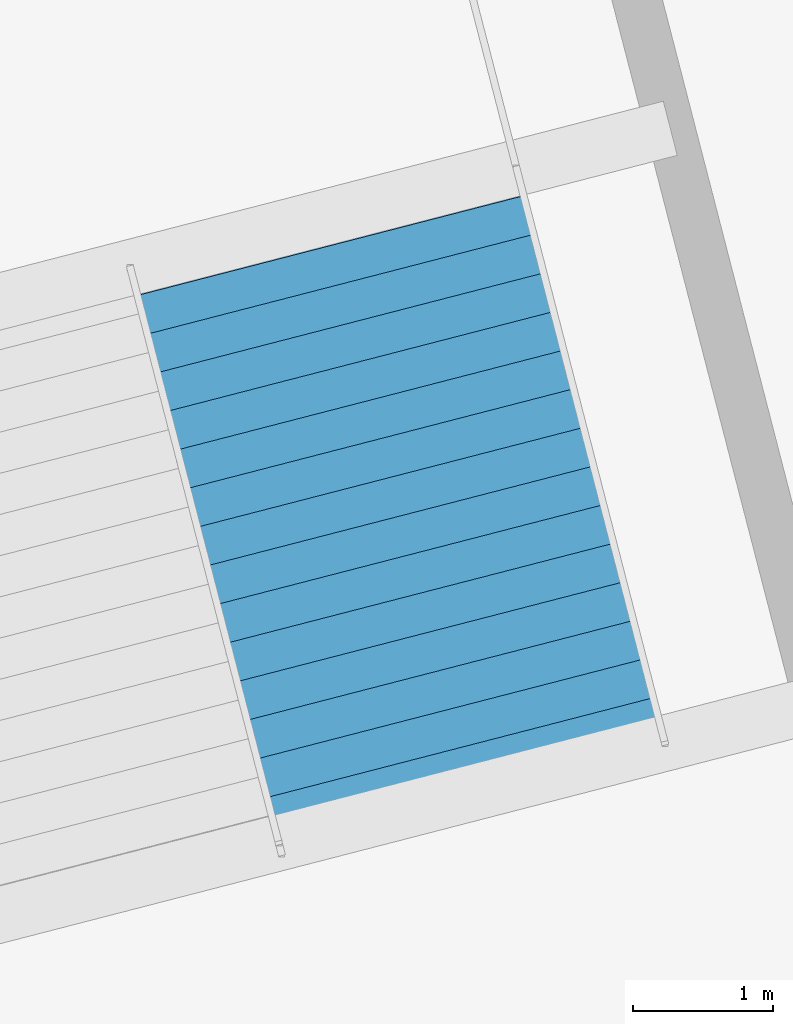
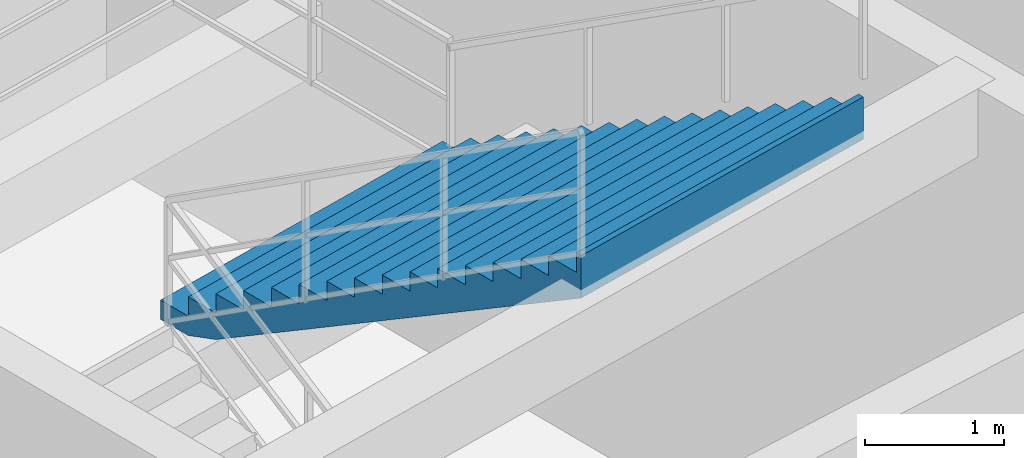
# One storey, part 32 of 49: 1 stair flight, 1 element without a shape of its own.
"""IFC4 building model written with IfcOpenShell, lengths in metres."""

from ifc_helpers import new_model, si_unit, direction, frame, origin, place, context, subcontext, project, spatial, polygons, material, type_object, element, aggregate, save


model = new_model("IFC4")

# Units and contexts
model_context = context("Model", 3, precision=1e-05, world=origin(), true_north=direction((0.0, 1.0)))
body_context = subcontext(model_context, "Body", "Model", "MODEL_VIEW")
ifc_project = project(units=[si_unit("LENGTHUNIT", "METRE"), si_unit("AREAUNIT", "SQUARE_METRE"), si_unit("VOLUMEUNIT", "CUBIC_METRE"), si_unit("PLANEANGLEUNIT", "RADIAN"), si_unit("MASSUNIT", "GRAM", prefix="KILO")], contexts=[model_context])

# Site, building, storey
site_placement = place(None, origin())
site = spatial("IfcSite", under=ifc_project, at=site_placement, CompositionType="ELEMENT")
building_placement = place(site_placement, origin())
building = spatial("IfcBuilding", under=site, at=building_placement, Name="Kazemori Nagisa Stadium", CompositionType="ELEMENT")
storey_placement = place(building_placement, frame((0.0, 0.0, -5.43994140625)))
storey = spatial("IfcBuildingStorey", under=building, at=storey_placement, Name="B1", CompositionType="ELEMENT", Elevation=-5.43994140625)

# Stair, stair flight
ifc_material = material(Name="Concrete C36/45 (Fc36)", Category="concrete")
stair_type = type_object("IfcStairType", Name="Stair_CORE_32", PredefinedType="TWO_STRAIGHT_RUN_STAIR", material=ifc_material)
stair_placement = place(storey_placement, origin())
stair = element("IfcStair", 1, at=stair_placement, inside=storey, type_object=stair_type, Name="Exit stair ST07 B1", PredefinedType="TWO_STRAIGHT_RUN_STAIR")
stair_flight_type = type_object("IfcStairFlightType", Name="Flight_CORE_16", PredefinedType="STRAIGHT", material=ifc_material)
stair_flight_placement = place(storey_placement, frame((209.591796875, 127.897705078125, 2.719970703125), z_axis=(0.0, 0.0, 1.0), x_axis=(0.249959194257, -0.968256371632, 0.0)))
stair_flight = element("IfcStairFlight", 2, at=stair_flight_placement, type_object=stair_flight_type, Name="Exit stair ST07 B1 flight 2", NumberOfRisers=16, NumberOfTreads=15, PredefinedType="STRAIGHT", RiserHeight=0.17, TreadLength=0.285, context=body_context, shape_type="Tessellation", body=[
    polygons([(0.0, -1.425048828125, 0.0), (0.0, -1.425048828125, 0.169921875), (0.284912109375, -1.425048828125, 0.169921875), (0.284912109375, -1.425048828125, 0.340087890625), (0.570068359375, -1.425048828125, 0.340087890625), (0.570068359375, -1.425048828125, 0.510009765625), (0.85498046875, -1.425048828125, 0.510009765625), (0.85498046875, -1.425048828125, 0.679931640625), (1.139892578125, -1.425048828125, 0.679931640625), (1.139892578125, -1.425048828125, 0.85009765625), (1.425048828125, -1.425048828125, 0.85009765625), (1.425048828125, -1.425048828125, 1.02001953125), (1.7099609375, -1.425048828125, 1.02001953125), (1.7099609375, -1.425048828125, 1.18994140625), (1.9951171875, -1.425048828125, 1.18994140625), (1.9951171875, -1.425048828125, 1.360107421875), (2.280029296875, -1.425048828125, 1.360107421875), (2.280029296875, -1.425048828125, 1.530029296875), (2.56494140625, -1.425048828125, 1.530029296875), (2.56494140625, -1.425048828125, 1.699951171875), (2.85009765625, -1.425048828125, 1.699951171875), (2.85009765625, -1.425048828125, 1.8701171875), (3.135009765625, -1.425048828125, 1.8701171875), (3.135009765625, -1.425048828125, 2.0400390625), (3.419921875, -1.425048828125, 2.0400390625), (3.419921875, -1.425048828125, 2.2099609375), (3.705078125, -1.425048828125, 2.2099609375), (3.705078125, -1.425048828125, 2.3798828125), (3.989990234375, -1.425048828125, 2.3798828125), (3.989990234375, -1.425048828125, 2.550048828125), (4.27490234375, -1.425048828125, 2.550048828125), (4.27490234375, -1.425048828125, 2.719970703125), (4.324951171875, -1.425048828125, 2.719970703125), (4.324951171875, -1.425048828125, 2.346923828125), (4.27490234375, -1.425048828125, 2.317138671875), (3.989990234375, -1.425048828125, 2.147216796875), (3.705078125, -1.425048828125, 1.977294921875), (3.419921875, -1.425048828125, 1.80712890625), (3.135009765625, -1.425048828125, 1.63720703125), (2.85009765625, -1.425048828125, 1.46728515625), (2.56494140625, -1.425048828125, 1.297119140625), (2.280029296875, -1.425048828125, 1.127197265625), (1.9951171875, -1.425048828125, 0.957275390625), (1.7099609375, -1.425048828125, 0.787109375), (1.425048828125, -1.425048828125, 0.6171875), (1.139892578125, -1.425048828125, 0.447265625), (0.85498046875, -1.425048828125, 0.277099609375), (0.570068359375, -1.425048828125, 0.107177734375), (0.284912109375, -1.425048828125, 0.0), (0.0, -0.08544921875, 0.0), (0.0, -0.08544921875, 0.169921875), (0.284912109375, -0.08544921875, 0.169921875), (0.284912109375, -0.08544921875, 0.340087890625), (0.570068359375, -0.08544921875, 0.340087890625), (0.570068359375, -0.08544921875, 0.510009765625), (0.85498046875, -0.08544921875, 0.510009765625), (0.85498046875, -0.08544921875, 0.679931640625), (1.139892578125, -0.08544921875, 0.679931640625), (1.139892578125, -0.08544921875, 0.85009765625), (1.425048828125, -0.08544921875, 0.85009765625), (1.425048828125, -0.08544921875, 1.02001953125), (1.7099609375, -0.08544921875, 1.02001953125), (1.7099609375, -0.08544921875, 1.18994140625), (1.9951171875, -0.08544921875, 1.18994140625), (1.9951171875, -0.08544921875, 1.360107421875), (2.280029296875, -0.08544921875, 1.360107421875), (2.280029296875, -0.08544921875, 1.530029296875), (2.56494140625, -0.08544921875, 1.530029296875), (2.56494140625, -0.08544921875, 1.699951171875), (2.85009765625, -0.08544921875, 1.699951171875), (2.85009765625, -0.08544921875, 1.8701171875), (3.135009765625, -0.08544921875, 1.8701171875), (3.135009765625, -0.08544921875, 2.0400390625), (3.419921875, -0.08544921875, 2.0400390625), (3.419921875, -0.08544921875, 2.2099609375), (3.705078125, -0.08544921875, 2.2099609375), (3.705078125, -0.08544921875, 2.3798828125), (3.989990234375, -0.08544921875, 2.3798828125), (3.989990234375, -0.08544921875, 2.550048828125), (4.27490234375, -0.08544921875, 2.550048828125), (4.27490234375, -0.08544921875, 2.719970703125), (4.324951171875, -0.08544921875, 2.719970703125), (4.324951171875, -0.08544921875, 2.346923828125), (4.27490234375, -0.08544921875, 2.317138671875), (3.989990234375, -0.08544921875, 2.147216796875), (3.705078125, -0.08544921875, 1.977294921875), (3.419921875, -0.08544921875, 1.80712890625), (3.135009765625, -0.08544921875, 1.63720703125), (2.85009765625, -0.08544921875, 1.46728515625), (2.56494140625, -0.08544921875, 1.297119140625), (2.280029296875, -0.08544921875, 1.127197265625), (1.9951171875, -0.08544921875, 0.957275390625), (1.7099609375, -0.08544921875, 0.787109375), (1.425048828125, -0.08544921875, 0.6171875), (1.139892578125, -0.08544921875, 0.447265625), (0.85498046875, -0.08544921875, 0.277099609375), (0.570068359375, -0.08544921875, 0.107177734375), (0.284912109375, -0.08544921875, 0.0), (0.0, 0.0, 0.0), (0.0, 0.0, 0.169921875), (0.284912109375, 0.0, 0.169921875), (0.284912109375, 0.0, 0.340087890625), (0.570068359375, 0.0, 0.340087890625), (0.570068359375, 0.0, 0.510009765625), (0.85498046875, 0.0, 0.510009765625), (0.85498046875, 0.0, 0.679931640625), (1.139892578125, 0.0, 0.679931640625), (1.139892578125, 0.0, 0.85009765625), (1.425048828125, 0.0, 0.85009765625), (1.425048828125, 0.0, 1.02001953125), (1.7099609375, 0.0, 1.02001953125), (1.7099609375, 0.0, 1.18994140625), (1.9951171875, 0.0, 1.18994140625), (1.9951171875, 0.0, 1.360107421875), (2.280029296875, 0.0, 1.360107421875), (2.280029296875, 0.0, 1.530029296875), (2.56494140625, 0.0, 1.530029296875), (2.56494140625, 0.0, 1.699951171875), (2.85009765625, 0.0, 1.699951171875), (2.85009765625, 0.0, 1.8701171875), (3.135009765625, 0.0, 1.8701171875), (3.135009765625, 0.0, 2.0400390625), (3.419921875, 0.0, 2.0400390625), (3.419921875, 0.0, 2.2099609375), (3.705078125, 0.0, 2.2099609375), (3.705078125, 0.0, 2.3798828125), (3.989990234375, 0.0, 2.3798828125), (3.989990234375, 0.0, 2.550048828125), (4.27490234375, 0.0, 2.550048828125), (4.27490234375, 0.0, 2.719970703125), (4.324951171875, 0.0, 2.719970703125), (4.324951171875, 0.0, 2.346923828125), (4.27490234375, 0.0, 2.317138671875), (3.989990234375, 0.0, 2.147216796875), (3.705078125, 0.0, 1.977294921875), (3.419921875, 0.0, 1.80712890625), (3.135009765625, 0.0, 1.63720703125), (2.85009765625, 0.0, 1.46728515625), (2.56494140625, 0.0, 1.297119140625), (2.280029296875, 0.0, 1.127197265625), (1.9951171875, 0.0, 0.957275390625), (1.7099609375, 0.0, 0.787109375), (1.425048828125, 0.0, 0.6171875), (1.139892578125, 0.0, 0.447265625), (0.85498046875, 0.0, 0.277099609375), (0.570068359375, 0.0, 0.107177734375), (0.284912109375, 0.0, 0.0), (0.0, 0.08544921875, 0.0), (0.0, 0.08544921875, 0.169921875), (0.284912109375, 0.08544921875, 0.169921875), (0.284912109375, 0.08544921875, 0.340087890625), (0.570068359375, 0.08544921875, 0.340087890625), (0.570068359375, 0.08544921875, 0.510009765625), (0.85498046875, 0.08544921875, 0.510009765625), (0.85498046875, 0.08544921875, 0.679931640625), (1.139892578125, 0.08544921875, 0.679931640625), (1.139892578125, 0.08544921875, 0.85009765625), (1.425048828125, 0.08544921875, 0.85009765625), (1.425048828125, 0.08544921875, 1.02001953125), (1.7099609375, 0.08544921875, 1.02001953125), (1.7099609375, 0.08544921875, 1.18994140625), (1.9951171875, 0.08544921875, 1.18994140625), (1.9951171875, 0.08544921875, 1.360107421875), (2.280029296875, 0.08544921875, 1.360107421875), (2.280029296875, 0.08544921875, 1.530029296875), (2.56494140625, 0.08544921875, 1.530029296875), (2.56494140625, 0.08544921875, 1.699951171875), (2.85009765625, 0.08544921875, 1.699951171875), (2.85009765625, 0.08544921875, 1.8701171875), (3.135009765625, 0.08544921875, 1.8701171875), (3.135009765625, 0.08544921875, 2.0400390625), (3.419921875, 0.08544921875, 2.0400390625), (3.419921875, 0.08544921875, 2.2099609375), (3.705078125, 0.08544921875, 2.2099609375), (3.705078125, 0.08544921875, 2.3798828125), (3.989990234375, 0.08544921875, 2.3798828125), (3.989990234375, 0.08544921875, 2.550048828125), (4.27490234375, 0.08544921875, 2.550048828125), (4.27490234375, 0.08544921875, 2.719970703125), (4.324951171875, 0.08544921875, 2.719970703125), (4.324951171875, 0.08544921875, 2.346923828125), (4.27490234375, 0.08544921875, 2.317138671875), (3.989990234375, 0.08544921875, 2.147216796875), (3.705078125, 0.08544921875, 1.977294921875), (3.419921875, 0.08544921875, 1.80712890625), (3.135009765625, 0.08544921875, 1.63720703125), (2.85009765625, 0.08544921875, 1.46728515625), (2.56494140625, 0.08544921875, 1.297119140625), (2.280029296875, 0.08544921875, 1.127197265625), (1.9951171875, 0.08544921875, 0.957275390625), (1.7099609375, 0.08544921875, 0.787109375), (1.425048828125, 0.08544921875, 0.6171875), (1.139892578125, 0.08544921875, 0.447265625), (0.85498046875, 0.08544921875, 0.277099609375), (0.570068359375, 0.08544921875, 0.107177734375), (0.284912109375, 0.08544921875, 0.0), (0.0, 1.425048828125, 0.0), (0.0, 1.425048828125, 0.169921875), (0.284912109375, 1.425048828125, 0.169921875), (0.284912109375, 1.425048828125, 0.340087890625), (0.570068359375, 1.425048828125, 0.340087890625), (0.570068359375, 1.425048828125, 0.510009765625), (0.85498046875, 1.425048828125, 0.510009765625), (0.85498046875, 1.425048828125, 0.679931640625), (1.139892578125, 1.425048828125, 0.679931640625), (1.139892578125, 1.425048828125, 0.85009765625), (1.425048828125, 1.425048828125, 0.85009765625), (1.425048828125, 1.425048828125, 1.02001953125), (1.7099609375, 1.425048828125, 1.02001953125), (1.7099609375, 1.425048828125, 1.18994140625), (1.9951171875, 1.425048828125, 1.18994140625), (1.9951171875, 1.425048828125, 1.360107421875), (2.280029296875, 1.425048828125, 1.360107421875), (2.280029296875, 1.425048828125, 1.530029296875), (2.56494140625, 1.425048828125, 1.530029296875), (2.56494140625, 1.425048828125, 1.699951171875), (2.85009765625, 1.425048828125, 1.699951171875), (2.85009765625, 1.425048828125, 1.8701171875), (3.135009765625, 1.425048828125, 1.8701171875), (3.135009765625, 1.425048828125, 2.0400390625), (3.419921875, 1.425048828125, 2.0400390625), (3.419921875, 1.425048828125, 2.2099609375), (3.705078125, 1.425048828125, 2.2099609375), (3.705078125, 1.425048828125, 2.3798828125), (3.989990234375, 1.425048828125, 2.3798828125), (3.989990234375, 1.425048828125, 2.550048828125), (4.27490234375, 1.425048828125, 2.550048828125), (4.27490234375, 1.425048828125, 2.719970703125), (4.324951171875, 1.425048828125, 2.719970703125), (4.324951171875, 1.425048828125, 2.346923828125), (4.27490234375, 1.425048828125, 2.317138671875), (3.989990234375, 1.425048828125, 2.147216796875), (3.705078125, 1.425048828125, 1.977294921875), (3.419921875, 1.425048828125, 1.80712890625), (3.135009765625, 1.425048828125, 1.63720703125), (2.85009765625, 1.425048828125, 1.46728515625), (2.56494140625, 1.425048828125, 1.297119140625), (2.280029296875, 1.425048828125, 1.127197265625), (1.9951171875, 1.425048828125, 0.957275390625), (1.7099609375, 1.425048828125, 0.787109375), (1.425048828125, 1.425048828125, 0.6171875), (1.139892578125, 1.425048828125, 0.447265625), (0.85498046875, 1.425048828125, 0.277099609375), (0.570068359375, 1.425048828125, 0.107177734375), (0.284912109375, 1.425048828125, 0.0)], [[[1, 2, 51]], [[1, 51, 50]], [[2, 3, 52]], [[2, 52, 51]], [[3, 4, 53]], [[3, 53, 52]], [[4, 5, 54]], [[4, 54, 53]], [[5, 6, 55]], [[5, 55, 54]], [[6, 7, 56]], [[6, 56, 55]], [[7, 8, 57]], [[7, 57, 56]], [[8, 9, 58]], [[8, 58, 57]], [[9, 10, 59]], [[9, 59, 58]], [[10, 11, 60]], [[10, 60, 59]], [[11, 12, 61]], [[11, 61, 60]], [[12, 13, 62]], [[12, 62, 61]], [[13, 14, 63]], [[13, 63, 62]], [[14, 15, 64]], [[14, 64, 63]], [[15, 16, 65]], [[15, 65, 64]], [[16, 17, 66]], [[16, 66, 65]], [[17, 18, 67]], [[17, 67, 66]], [[18, 19, 68]], [[18, 68, 67]], [[19, 20, 69]], [[19, 69, 68]], [[20, 21, 70]], [[20, 70, 69]], [[21, 22, 71]], [[21, 71, 70]], [[22, 23, 72]], [[22, 72, 71]], [[23, 24, 73]], [[23, 73, 72]], [[24, 25, 74]], [[24, 74, 73]], [[25, 26, 75]], [[25, 75, 74]], [[26, 27, 76]], [[26, 76, 75]], [[27, 28, 77]], [[27, 77, 76]], [[28, 29, 78]], [[28, 78, 77]], [[29, 30, 79]], [[29, 79, 78]], [[30, 31, 80]], [[30, 80, 79]], [[31, 32, 81]], [[31, 81, 80]], [[32, 33, 82]], [[32, 82, 81]], [[33, 34, 83]], [[33, 83, 82]], [[34, 35, 84]], [[34, 84, 83]], [[35, 36, 85]], [[35, 85, 84]], [[36, 37, 86]], [[36, 86, 85]], [[37, 38, 87]], [[37, 87, 86]], [[38, 39, 88]], [[38, 88, 87]], [[39, 40, 89]], [[39, 89, 88]], [[40, 41, 90]], [[40, 90, 89]], [[41, 42, 91]], [[41, 91, 90]], [[42, 43, 92]], [[42, 92, 91]], [[43, 44, 93]], [[43, 93, 92]], [[44, 45, 94]], [[44, 94, 93]], [[45, 46, 95]], [[45, 95, 94]], [[46, 47, 96]], [[46, 96, 95]], [[47, 48, 97]], [[47, 97, 96]], [[48, 49, 98]], [[48, 98, 97]], [[49, 1, 50]], [[49, 50, 98]], [[50, 51, 100]], [[50, 100, 99]], [[51, 52, 101]], [[51, 101, 100]], [[52, 53, 102]], [[52, 102, 101]], [[53, 54, 103]], [[53, 103, 102]], [[54, 55, 104]], [[54, 104, 103]], [[55, 56, 105]], [[55, 105, 104]], [[56, 57, 106]], [[56, 106, 105]], [[57, 58, 107]], [[57, 107, 106]], [[58, 59, 108]], [[58, 108, 107]], [[59, 60, 109]], [[59, 109, 108]], [[60, 61, 110]], [[60, 110, 109]], [[61, 62, 111]], [[61, 111, 110]], [[62, 63, 112]], [[62, 112, 111]], [[63, 64, 113]], [[63, 113, 112]], [[64, 65, 114]], [[64, 114, 113]], [[65, 66, 115]], [[65, 115, 114]], [[66, 67, 116]], [[66, 116, 115]], [[67, 68, 117]], [[67, 117, 116]], [[68, 69, 118]], [[68, 118, 117]], [[69, 70, 119]], [[69, 119, 118]], [[70, 71, 120]], [[70, 120, 119]], [[71, 72, 121]], [[71, 121, 120]], [[72, 73, 122]], [[72, 122, 121]], [[73, 74, 123]], [[73, 123, 122]], [[74, 75, 124]], [[74, 124, 123]], [[75, 76, 125]], [[75, 125, 124]], [[76, 77, 126]], [[76, 126, 125]], [[77, 78, 127]], [[77, 127, 126]], [[78, 79, 128]], [[78, 128, 127]], [[79, 80, 129]], [[79, 129, 128]], [[80, 81, 130]], [[80, 130, 129]], [[81, 82, 131]], [[81, 131, 130]], [[82, 83, 132]], [[82, 132, 131]], [[83, 84, 133]], [[83, 133, 132]], [[84, 85, 134]], [[84, 134, 133]], [[85, 86, 135]], [[85, 135, 134]], [[86, 87, 136]], [[86, 136, 135]], [[87, 88, 137]], [[87, 137, 136]], [[88, 89, 138]], [[88, 138, 137]], [[89, 90, 139]], [[89, 139, 138]], [[90, 91, 140]], [[90, 140, 139]], [[91, 92, 141]], [[91, 141, 140]], [[92, 93, 142]], [[92, 142, 141]], [[93, 94, 143]], [[93, 143, 142]], [[94, 95, 144]], [[94, 144, 143]], [[95, 96, 145]], [[95, 145, 144]], [[96, 97, 146]], [[96, 146, 145]], [[97, 98, 147]], [[97, 147, 146]], [[98, 50, 99]], [[98, 99, 147]], [[99, 100, 149]], [[99, 149, 148]], [[100, 101, 150]], [[100, 150, 149]], [[101, 102, 151]], [[101, 151, 150]], [[102, 103, 152]], [[102, 152, 151]], [[103, 104, 153]], [[103, 153, 152]], [[104, 105, 154]], [[104, 154, 153]], [[105, 106, 155]], [[105, 155, 154]], [[106, 107, 156]], [[106, 156, 155]], [[107, 108, 157]], [[107, 157, 156]], [[108, 109, 158]], [[108, 158, 157]], [[109, 110, 159]], [[109, 159, 158]], [[110, 111, 160]], [[110, 160, 159]], [[111, 112, 161]], [[111, 161, 160]], [[112, 113, 162]], [[112, 162, 161]], [[113, 114, 163]], [[113, 163, 162]], [[114, 115, 164]], [[114, 164, 163]], [[115, 116, 165]], [[115, 165, 164]], [[116, 117, 166]], [[116, 166, 165]], [[117, 118, 167]], [[117, 167, 166]], [[118, 119, 168]], [[118, 168, 167]], [[119, 120, 169]], [[119, 169, 168]], [[120, 121, 170]], [[120, 170, 169]], [[121, 122, 171]], [[121, 171, 170]], [[122, 123, 172]], [[122, 172, 171]], [[123, 124, 173]], [[123, 173, 172]], [[124, 125, 174]], [[124, 174, 173]], [[125, 126, 175]], [[125, 175, 174]], [[126, 127, 176]], [[126, 176, 175]], [[127, 128, 177]], [[127, 177, 176]], [[128, 129, 178]], [[128, 178, 177]], [[129, 130, 179]], [[129, 179, 178]], [[130, 131, 180]], [[130, 180, 179]], [[131, 132, 181]], [[131, 181, 180]], [[132, 133, 182]], [[132, 182, 181]], [[133, 134, 183]], [[133, 183, 182]], [[134, 135, 184]], [[134, 184, 183]], [[135, 136, 185]], [[135, 185, 184]], [[136, 137, 186]], [[136, 186, 185]], [[137, 138, 187]], [[137, 187, 186]], [[138, 139, 188]], [[138, 188, 187]], [[139, 140, 189]], [[139, 189, 188]], [[140, 141, 190]], [[140, 190, 189]], [[141, 142, 191]], [[141, 191, 190]], [[142, 143, 192]], [[142, 192, 191]], [[143, 144, 193]], [[143, 193, 192]], [[144, 145, 194]], [[144, 194, 193]], [[145, 146, 195]], [[145, 195, 194]], [[146, 147, 196]], [[146, 196, 195]], [[147, 99, 148]], [[147, 148, 196]], [[148, 149, 198]], [[148, 198, 197]], [[149, 150, 199]], [[149, 199, 198]], [[150, 151, 200]], [[150, 200, 199]], [[151, 152, 201]], [[151, 201, 200]], [[152, 153, 202]], [[152, 202, 201]], [[153, 154, 203]], [[153, 203, 202]], [[154, 155, 204]], [[154, 204, 203]], [[155, 156, 205]], [[155, 205, 204]], [[156, 157, 206]], [[156, 206, 205]], [[157, 158, 207]], [[157, 207, 206]], [[158, 159, 208]], [[158, 208, 207]], [[159, 160, 209]], [[159, 209, 208]], [[160, 161, 210]], [[160, 210, 209]], [[161, 162, 211]], [[161, 211, 210]], [[162, 163, 212]], [[162, 212, 211]], [[163, 164, 213]], [[163, 213, 212]], [[164, 165, 214]], [[164, 214, 213]], [[165, 166, 215]], [[165, 215, 214]], [[166, 167, 216]], [[166, 216, 215]], [[167, 168, 217]], [[167, 217, 216]], [[168, 169, 218]], [[168, 218, 217]], [[169, 170, 219]], [[169, 219, 218]], [[170, 171, 220]], [[170, 220, 219]], [[171, 172, 221]], [[171, 221, 220]], [[172, 173, 222]], [[172, 222, 221]], [[173, 174, 223]], [[173, 223, 222]], [[174, 175, 224]], [[174, 224, 223]], [[175, 176, 225]], [[175, 225, 224]], [[176, 177, 226]], [[176, 226, 225]], [[177, 178, 227]], [[177, 227, 226]], [[178, 179, 228]], [[178, 228, 227]], [[179, 180, 229]], [[179, 229, 228]], [[180, 181, 230]], [[180, 230, 229]], [[181, 182, 231]], [[181, 231, 230]], [[182, 183, 232]], [[182, 232, 231]], [[183, 184, 233]], [[183, 233, 232]], [[184, 185, 234]], [[184, 234, 233]], [[185, 186, 235]], [[185, 235, 234]], [[186, 187, 236]], [[186, 236, 235]], [[187, 188, 237]], [[187, 237, 236]], [[188, 189, 238]], [[188, 238, 237]], [[189, 190, 239]], [[189, 239, 238]], [[190, 191, 240]], [[190, 240, 239]], [[191, 192, 241]], [[191, 241, 240]], [[192, 193, 242]], [[192, 242, 241]], [[193, 194, 243]], [[193, 243, 242]], [[194, 195, 244]], [[194, 244, 243]], [[195, 196, 245]], [[195, 245, 244]], [[196, 148, 197]], [[196, 197, 245]], [[3, 2, 1]], [[197, 198, 199]], [[49, 3, 1]], [[197, 199, 245]], [[48, 3, 49]], [[245, 199, 244]], [[5, 3, 48]], [[244, 199, 201]], [[5, 4, 3]], [[199, 200, 201]], [[47, 5, 48]], [[244, 201, 243]], [[7, 5, 47]], [[243, 201, 203]], [[7, 6, 5]], [[201, 202, 203]], [[46, 7, 47]], [[243, 203, 242]], [[9, 7, 46]], [[242, 203, 205]], [[9, 8, 7]], [[203, 204, 205]], [[45, 9, 46]], [[242, 205, 241]], [[11, 9, 45]], [[241, 205, 207]], [[11, 10, 9]], [[205, 206, 207]], [[44, 11, 45]], [[241, 207, 240]], [[13, 11, 44]], [[240, 207, 209]], [[13, 12, 11]], [[207, 208, 209]], [[43, 13, 44]], [[240, 209, 239]], [[15, 13, 43]], [[239, 209, 211]], [[15, 14, 13]], [[209, 210, 211]], [[42, 15, 43]], [[239, 211, 238]], [[17, 15, 42]], [[238, 211, 213]], [[17, 16, 15]], [[211, 212, 213]], [[41, 17, 42]], [[238, 213, 237]], [[19, 17, 41]], [[237, 213, 215]], [[19, 18, 17]], [[213, 214, 215]], [[40, 19, 41]], [[237, 215, 236]], [[21, 19, 40]], [[236, 215, 217]], [[21, 20, 19]], [[215, 216, 217]], [[39, 21, 40]], [[236, 217, 235]], [[23, 21, 39]], [[235, 217, 219]], [[23, 22, 21]], [[217, 218, 219]], [[38, 23, 39]], [[235, 219, 234]], [[25, 23, 38]], [[234, 219, 221]], [[25, 24, 23]], [[219, 220, 221]], [[37, 25, 38]], [[234, 221, 233]], [[27, 25, 37]], [[233, 221, 223]], [[27, 26, 25]], [[221, 222, 223]], [[36, 27, 37]], [[233, 223, 232]], [[29, 27, 36]], [[232, 223, 225]], [[29, 28, 27]], [[223, 224, 225]], [[35, 29, 36]], [[232, 225, 231]], [[31, 29, 35]], [[231, 225, 227]], [[31, 30, 29]], [[225, 226, 227]], [[34, 31, 35]], [[231, 227, 230]], [[33, 31, 34]], [[230, 227, 229]], [[33, 32, 31]], [[227, 228, 229]]], closed=True),
])
aggregate(stair, [stair_flight])

save(model, "model.ifc")
